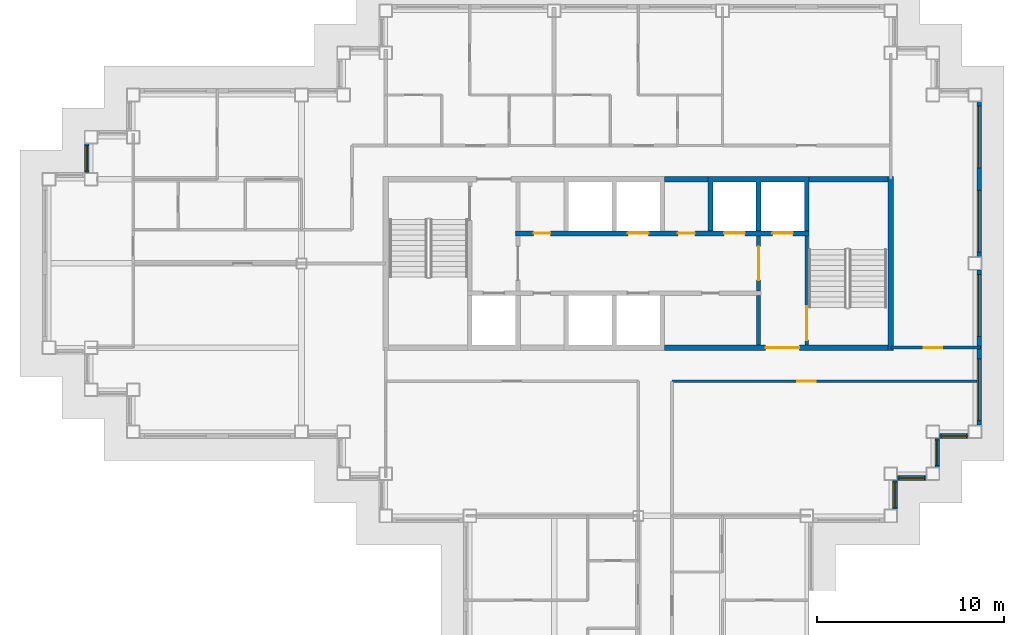
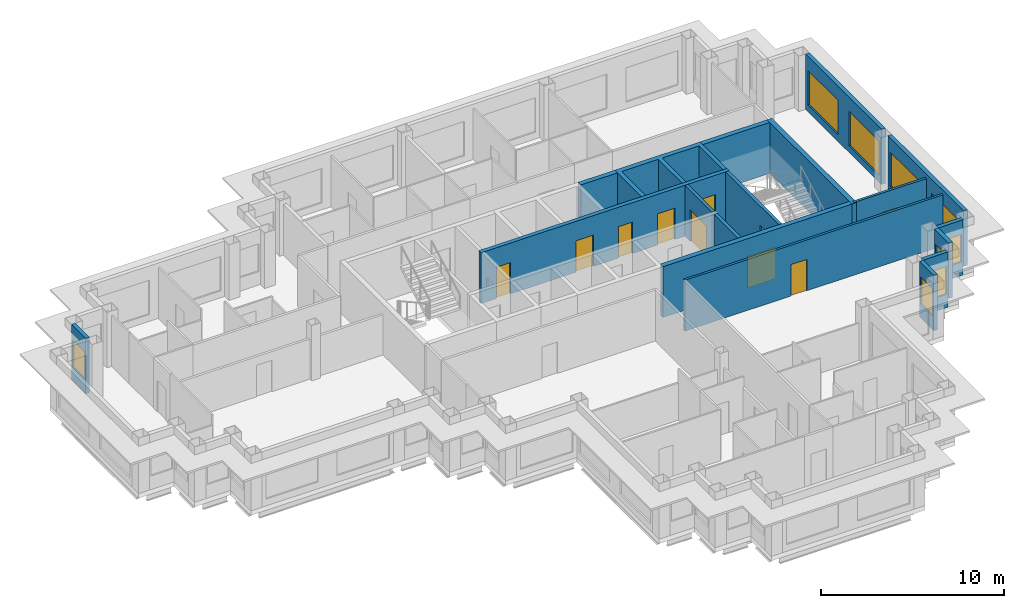
# One storey, part 5 of 11: 18 walls, 10 doors, 9 windows, 19 openings.
"""IFC4 building model written with IfcOpenShell, lengths in metres."""

from ifc_helpers import new_model, si_unit, direction, frame, frame_2d, origin, place, context, subcontext, project, spatial, polyline, rectangle, outline, extrude, material, layer, layer_set, type_object, element, fill, save


model = new_model("IFC4")

# Units and contexts
model_context = context("Model", 3, precision=1e-05, world=origin(), true_north=direction((0.0, 1.0)))
body_context = subcontext(model_context, "Body", "Model", "MODEL_VIEW")
ifc_project = project(units=[si_unit("LENGTHUNIT", "METRE"), si_unit("AREAUNIT", "SQUARE_METRE"), si_unit("VOLUMEUNIT", "CUBIC_METRE"), si_unit("PLANEANGLEUNIT", "RADIAN"), si_unit("MASSUNIT", "GRAM", prefix="KILO")], contexts=[model_context])

# Site, building, storey
site_placement = place(None, origin())
site = spatial("IfcSite", under=ifc_project, at=site_placement, CompositionType="ELEMENT")
building_placement = place(site_placement, origin())
building = spatial("IfcBuilding", under=site, at=building_placement, Name="Caravel Reach Hotel and Residences", CompositionType="ELEMENT")
storey_placement = place(building_placement, frame((0.0, 0.0, 210.89990234375)))
storey = spatial("IfcBuildingStorey", under=building, at=storey_placement, Name="L53", CompositionType="ELEMENT", Elevation=210.89990234375)

# Wall
ifc_material_1 = material(Name="Autoclaved aerated block wall")
ifc_layer_1 = layer(ifc_material_1, 0.199951171875)
ifc_layer_set_1 = layer_set([ifc_layer_1], Name="Compartment wall 200 mm EI 120")
wall_type_1 = type_object("IfcWallType", Name="Compartment wall 200 mm EI 120", PredefinedType="PARTITIONING", material=ifc_layer_set_1)
wall_1_placement = place(storey_placement, frame((37.928466796875, 22.64990234375, 0.0), z_axis=(0.0, 0.0, 1.0), x_axis=(0.0, 1.0, 0.0)))
element("IfcWall", 1, at=wall_1_placement, inside=storey, type_object=wall_type_1, Name="L53 store partition", PredefinedType="PARTITIONING", context=body_context, shape_type="SweptSolid", body=[
    extrude(rectangle(XDim=2.625, YDim=0.199951171875, at=frame_2d((1.3125, 0.0))), origin(), (0.0, 0.0, 1.0), 3.400146484375),
])

# Wall, opening, door
ifc_material_2 = material(Name="Concrete C60", Category="concrete")
ifc_layer_2 = layer(ifc_material_2, 0.300048828125)
ifc_layer_set_2 = layer_set([ifc_layer_2], Name="Core wall 300 mm EI 120")
wall_type_2 = type_object("IfcWallType", Name="Core wall 300 mm EI 120", PredefinedType="SHEAR", material=ifc_layer_set_2)
wall_2_placement = place(storey_placement, frame((32.91064453125, 22.5, 0.0), z_axis=(0.0, 0.0, 1.0), x_axis=(1.0, 0.0, 0.0)))
wall_2 = element("IfcWall", 2, at=wall_2_placement, inside=storey, type_object=wall_type_2, Name="L53 core wall S3", PredefinedType="SHEAR", context=body_context, shape_type="SweptSolid", body=[
    extrude(rectangle(XDim=11.939453125, YDim=0.300048828125, at=frame_2d((5.9697265625, 0.0))), origin(), (0.0, 0.0, 1.0), 3.400146484375),
])
opening_1_placement = place(wall_2_placement, frame((5.403564453125, 0.0, 0.0)))
opening_1 = element("IfcOpeningElement", 3, at=opening_1_placement, cuts=wall_2, Name="Opening D53-015", PredefinedType="OPENING", context=body_context, shape_type="SweptSolid", body=[
    extrude(rectangle(XDim=1.800048828125, YDim=2.10009765625, at=frame_2d((0.89990234375, 1.050048828125))), frame((0.0, 0.159912109375, 0.0), z_axis=(0.0, -1.0, 0.0), x_axis=(1.0, 0.0, 0.0)), (0.0, 0.0, 1.0), 0.320068359375),
])
ifc_material_3 = material(Name="Steel fire door leaf", Category="steel")
door_type_1 = type_object("IfcDoorType", Name="Fire lobby door pair 1800 x 2100 EI 90", OperationType="DOUBLE_DOOR_SINGLE_SWING", PredefinedType="DOOR", material=ifc_material_3)
door_1_placement = place(opening_1_placement, origin())
door_1 = element("IfcDoor", 4, at=door_1_placement, inside=storey, type_object=door_type_1, Name="lobby S door pair to corridor", OperationType="DOUBLE_DOOR_SINGLE_SWING", OverallHeight=2.10009765625, OverallWidth=1.800048828125, PredefinedType="DOOR", context=body_context, shape_type="SweptSolid", body=[
    extrude(rectangle(XDim=1.800048828125, YDim=2.10009765625, at=frame_2d((0.89990234375, 1.050048828125))), frame((0.0, 0.02490234375, 0.0), z_axis=(0.0, -1.0, 0.0), x_axis=(1.0, 0.0, 0.0)), (0.0, 0.0, 1.0), 0.050048828125),
])
fill(opening_1, door_1)

# Walls
wall_3_placement = place(storey_placement, frame((32.91064453125, 31.5, 0.0), z_axis=(0.0, 0.0, 1.0), x_axis=(1.0, 0.0, 0.0)))
element("IfcWall", 5, at=wall_3_placement, inside=storey, type_object=wall_type_2, Name="L53 core wall N2", PredefinedType="SHEAR", context=body_context, shape_type="SweptSolid", body=[
    extrude(rectangle(XDim=2.321533203125, YDim=0.300048828125, at=frame_2d((1.16064453125, 0.0))), origin(), (0.0, 0.0, 1.0), 3.400146484375),
])
wall_4_placement = place(storey_placement, frame((40.625, 31.5, 0.0), z_axis=(0.0, 0.0, 1.0), x_axis=(1.0, 0.0, 0.0)))
element("IfcWall", 6, at=wall_4_placement, inside=storey, type_object=wall_type_2, Name="L53 core wall N3", PredefinedType="SHEAR", context=body_context, shape_type="SweptSolid", body=[
    extrude(rectangle(XDim=4.22509765625, YDim=0.300048828125, at=frame_2d((2.112548828125, 0.0))), origin(), (0.0, 0.0, 1.0), 3.400146484375),
])
wall_5_placement = place(storey_placement, frame((45.0, 22.35009765625, 0.0), z_axis=(0.0, 0.0, 1.0), x_axis=(0.0, 1.0, 0.0)))
element("IfcWall", 7, at=wall_5_placement, inside=storey, type_object=wall_type_2, Name="L53 core wall E", PredefinedType="SHEAR", context=body_context, shape_type="SweptSolid", body=[
    extrude(rectangle(XDim=9.2998046875, YDim=0.300048828125, at=frame_2d((4.64990234375, 0.0))), origin(), (0.0, 0.0, 1.0), 3.400146484375),
])

# Wall, opening, door
ifc_material_4 = material(Name="Gypsum board on steel stud, fire-rated", Category="steel")
ifc_layer_3 = layer(ifc_material_4, 0.14990234375)
ifc_layer_set_3 = layer_set([ifc_layer_3], Name="Corridor wall 150 mm EI 60")
wall_type_3 = type_object("IfcWallType", Name="Corridor wall 150 mm EI 60", PredefinedType="PARTITIONING", material=ifc_layer_set_3)
wall_6_placement = place(storey_placement, frame((33.301025390625, 20.699951171875, 0.0), z_axis=(0.0, 0.0, 1.0), x_axis=(1.0, 0.0, 0.0)))
wall_6 = element("IfcWall", 8, at=wall_6_placement, inside=storey, type_object=wall_type_3, Name="L53 wall w001", PredefinedType="PARTITIONING", context=body_context, shape_type="SweptSolid", body=[
    extrude(rectangle(XDim=16.299072265625, YDim=0.14990234375, at=frame_2d((8.1494140625, 0.0))), origin(), (0.0, 0.0, 1.0), 3.400146484375),
])
opening_2_placement = place(wall_6_placement, frame((6.697998046875, 0.0, 0.0)))
opening_2 = element("IfcOpeningElement", 9, at=opening_2_placement, cuts=wall_6, Name="Opening D53-031", PredefinedType="OPENING", context=body_context, shape_type="SweptSolid", body=[
    extrude(rectangle(XDim=1.0, YDim=2.10009765625, at=frame_2d((0.5, 1.050048828125))), frame((0.0, 0.0849609375, 0.0), z_axis=(0.0, -1.0, 0.0), x_axis=(1.0, 0.0, 0.0)), (0.0, 0.0, 1.0), 0.169921875),
])
ifc_material_5 = material(Name="Steel fire door leaf", Category="steel")
door_type_2 = type_object("IfcDoorType", Name="Fire door 1000 x 2100 EI 60", OperationType="SINGLE_SWING_LEFT", PredefinedType="DOOR", material=ifc_material_5)
door_2_placement = place(opening_2_placement, origin())
door_2 = element("IfcDoor", 10, at=door_2_placement, inside=storey, type_object=door_type_2, Name="door D53-031", OperationType="SINGLE_SWING_RIGHT", OverallHeight=2.10009765625, OverallWidth=1.0, PredefinedType="DOOR", context=body_context, shape_type="SweptSolid", body=[
    extrude(rectangle(XDim=1.0, YDim=2.10009765625, at=frame_2d((0.5, 1.050048828125))), frame((0.0, 0.02490234375, 0.0), z_axis=(0.0, -1.0, 0.0), x_axis=(1.0, 0.0, 0.0)), (0.0, 0.0, 1.0), 0.050048828125),
])
fill(opening_2, door_2)

wall_7_placement = place(storey_placement, frame((45.0, 22.5, 0.0), z_axis=(0.0, 0.0, 1.0), x_axis=(1.0, 0.0, 0.0)))
wall_7 = element("IfcWall", 11, at=wall_7_placement, inside=storey, type_object=wall_type_3, Name="L53 wall w005", PredefinedType="PARTITIONING", context=body_context, shape_type="SweptSolid", body=[
    extrude(rectangle(XDim=4.7900390625, YDim=0.14990234375, at=frame_2d((2.39501953125, 0.0))), origin(), (0.0, 0.0, 1.0), 3.400146484375),
])
opening_3_placement = place(wall_7_placement, frame((1.75, 0.0, 0.0)))
opening_3 = element("IfcOpeningElement", 12, at=opening_3_placement, cuts=wall_7, Name="Opening D53-041", PredefinedType="OPENING", context=body_context, shape_type="SweptSolid", body=[
    extrude(rectangle(XDim=1.0, YDim=2.10009765625, at=frame_2d((0.5, 1.050048828125))), frame((0.0, 0.0849609375, 0.0), z_axis=(0.0, -1.0, 0.0), x_axis=(1.0, 0.0, 0.0)), (0.0, 0.0, 1.0), 0.169921875),
])
door_3_placement = place(opening_3_placement, origin())
door_3 = element("IfcDoor", 13, at=door_3_placement, inside=storey, type_object=door_type_2, Name="door D53-041", OperationType="SINGLE_SWING_RIGHT", OverallHeight=2.10009765625, OverallWidth=1.0, PredefinedType="DOOR", context=body_context, shape_type="SweptSolid", body=[
    extrude(rectangle(XDim=1.0, YDim=2.10009765625, at=frame_2d((0.5, 1.050048828125))), frame((0.0, 0.02490234375, 0.0), z_axis=(0.0, -1.0, 0.0), x_axis=(1.0, 0.0, 0.0)), (0.0, 0.0, 1.0), 0.050048828125),
])
fill(opening_3, door_3)

# Wall, opening, window
ifc_material_6 = material(Name="Insulated rainscreen wall, aluminium cladding", Category="aluminium")
ifc_layer_4 = layer(ifc_material_6, 0.25)
ifc_layer_set_4 = layer_set([ifc_layer_4], Name="EW1 Tower rainscreen wall")
wall_type_4 = type_object("IfcWallType", Name="EW1 Tower rainscreen wall", PredefinedType="SOLIDWALL", material=ifc_layer_set_4)
wall_8_placement = place(storey_placement, frame((45.22509765625, 13.85009765625, 0.0), z_axis=(0.0, 0.0, 1.0), x_axis=(0.0, 1.0, 0.0)))
wall_8 = element("IfcWall", 14, at=wall_8_placement, inside=storey, type_object=wall_type_4, Name="External wall L53 E2.1", PredefinedType="SOLIDWALL", context=body_context, shape_type="SweptSolid", body=[
    extrude(rectangle(XDim=1.5498046875, YDim=0.25, at=frame_2d((0.77490234375, 0.0))), origin(), (0.0, 0.0, 1.0), 3.7001953125),
])
opening_4_placement = place(wall_8_placement, frame((0.10009765625, 0.0, 0.89990234375)))
opening_4 = element("IfcOpeningElement", 15, at=opening_4_placement, cuts=wall_8, Name="Opening WN21", PredefinedType="OPENING", context=body_context, shape_type="SweptSolid", body=[
    extrude(rectangle(XDim=1.35009765625, YDim=1.85009765625, at=frame_2d((0.675048828125, 0.925048828125))), frame((0.0, 0.135009765625, 0.0), z_axis=(0.0, -1.0, 0.0), x_axis=(1.0, 0.0, 0.0)), (0.0, 0.0, 1.0), 0.27001953125),
])
ifc_material_7 = material(Name="Dark low-e glazing in black aluminium frame", Category="aluminium")
window_type_1 = type_object("IfcWindowType", Name="Residence bedroom window 1350 x 1850", PartitioningType="SINGLE_PANEL", PredefinedType="WINDOW", material=ifc_material_7)
window_1_placement = place(opening_4_placement, origin())
window_1 = element("IfcWindow", 16, at=window_1_placement, inside=storey, type_object=window_type_1, Name="Window L53 E2.1.1", OverallHeight=1.85009765625, OverallWidth=1.35009765625, PartitioningType="SINGLE_PANEL", PredefinedType="WINDOW", context=body_context, shape_type="SweptSolid", body=[
    extrude(rectangle(XDim=1.35009765625, YDim=1.85009765625, at=frame_2d((0.675048828125, 0.925048828125))), frame((0.0, 0.030029296875, 0.0), z_axis=(0.0, -1.0, 0.0), x_axis=(1.0, 0.0, 0.0)), (0.0, 0.0, 1.0), 0.06005859375),
])
fill(opening_4, window_1)

wall_9_placement = place(storey_placement, frame((45.35009765625, 15.52490234375, 0.0), z_axis=(0.0, 0.0, 1.0), x_axis=(1.0, 0.0, 0.0)))
wall_9 = element("IfcWall", 17, at=wall_9_placement, inside=storey, type_object=wall_type_4, Name="External wall L53 S3.1", PredefinedType="SOLIDWALL", context=body_context, shape_type="SweptSolid", body=[
    extrude(rectangle(XDim=1.5498046875, YDim=0.25, at=frame_2d((0.77490234375, 0.0))), origin(), (0.0, 0.0, 1.0), 3.7001953125),
])
opening_5_placement = place(wall_9_placement, frame((0.10009765625, 0.0, 0.89990234375)))
opening_5 = element("IfcOpeningElement", 18, at=opening_5_placement, cuts=wall_9, Name="Opening WN21", PredefinedType="OPENING", context=body_context, shape_type="SweptSolid", body=[
    extrude(rectangle(XDim=1.35009765625, YDim=1.85009765625, at=frame_2d((0.675048828125, 0.925048828125))), frame((0.0, 0.135009765625, 0.0), z_axis=(0.0, -1.0, 0.0), x_axis=(1.0, 0.0, 0.0)), (0.0, 0.0, 1.0), 0.27001953125),
])
window_2_placement = place(opening_5_placement, origin())
window_2 = element("IfcWindow", 19, at=window_2_placement, inside=storey, type_object=window_type_1, Name="Window L53 S3.1.1", OverallHeight=1.85009765625, OverallWidth=1.35009765625, PartitioningType="SINGLE_PANEL", PredefinedType="WINDOW", context=body_context, shape_type="SweptSolid", body=[
    extrude(rectangle(XDim=1.35009765625, YDim=1.85009765625, at=frame_2d((0.675048828125, 0.925048828125))), frame((0.0, 0.030029296875, 0.0), z_axis=(0.0, -1.0, 0.0), x_axis=(1.0, 0.0, 0.0)), (0.0, 0.0, 1.0), 0.06005859375),
])
fill(opening_5, window_2)

wall_10_placement = place(storey_placement, frame((47.47509765625, 16.10009765625, 0.0), z_axis=(0.0, 0.0, 1.0), x_axis=(0.0, 1.0, 0.0)))
wall_10 = element("IfcWall", 20, at=wall_10_placement, inside=storey, type_object=wall_type_4, Name="External wall L53 E4.1", PredefinedType="SOLIDWALL", context=body_context, shape_type="SweptSolid", body=[
    extrude(rectangle(XDim=1.5498046875, YDim=0.25, at=frame_2d((0.77490234375, 0.0))), origin(), (0.0, 0.0, 1.0), 3.7001953125),
])
opening_6_placement = place(wall_10_placement, frame((0.10009765625, 0.0, 0.89990234375)))
opening_6 = element("IfcOpeningElement", 21, at=opening_6_placement, cuts=wall_10, Name="Opening WN21", PredefinedType="OPENING", context=body_context, shape_type="SweptSolid", body=[
    extrude(rectangle(XDim=1.35009765625, YDim=1.85009765625, at=frame_2d((0.675048828125, 0.925048828125))), frame((0.0, 0.135009765625, 0.0), z_axis=(0.0, -1.0, 0.0), x_axis=(1.0, 0.0, 0.0)), (0.0, 0.0, 1.0), 0.27001953125),
])
window_3_placement = place(opening_6_placement, origin())
window_3 = element("IfcWindow", 22, at=window_3_placement, inside=storey, type_object=window_type_1, Name="Window L53 E4.1.1", OverallHeight=1.85009765625, OverallWidth=1.35009765625, PartitioningType="SINGLE_PANEL", PredefinedType="WINDOW", context=body_context, shape_type="SweptSolid", body=[
    extrude(rectangle(XDim=1.35009765625, YDim=1.85009765625, at=frame_2d((0.675048828125, 0.925048828125))), frame((0.0, 0.030029296875, 0.0), z_axis=(0.0, -1.0, 0.0), x_axis=(1.0, 0.0, 0.0)), (0.0, 0.0, 1.0), 0.06005859375),
])
fill(opening_6, window_3)

wall_11_placement = place(storey_placement, frame((47.60009765625, 17.77490234375, 0.0), z_axis=(0.0, 0.0, 1.0), x_axis=(1.0, 0.0, 0.0)))
wall_11 = element("IfcWall", 23, at=wall_11_placement, inside=storey, type_object=wall_type_4, Name="External wall L53 S5.1", PredefinedType="SOLIDWALL", context=body_context, shape_type="SweptSolid", body=[
    extrude(rectangle(XDim=1.5498046875, YDim=0.25, at=frame_2d((0.77490234375, 0.0))), origin(), (0.0, 0.0, 1.0), 3.7001953125),
])
opening_7_placement = place(wall_11_placement, frame((0.10009765625, 0.0, 0.89990234375)))
opening_7 = element("IfcOpeningElement", 24, at=opening_7_placement, cuts=wall_11, Name="Opening WN21", PredefinedType="OPENING", context=body_context, shape_type="SweptSolid", body=[
    extrude(rectangle(XDim=1.35009765625, YDim=1.85009765625, at=frame_2d((0.675048828125, 0.925048828125))), frame((0.0, 0.135009765625, 0.0), z_axis=(0.0, -1.0, 0.0), x_axis=(1.0, 0.0, 0.0)), (0.0, 0.0, 1.0), 0.27001953125),
])
window_4_placement = place(opening_7_placement, origin())
window_4 = element("IfcWindow", 25, at=window_4_placement, inside=storey, type_object=window_type_1, Name="Window L53 S5.1.1", OverallHeight=1.85009765625, OverallWidth=1.35009765625, PartitioningType="SINGLE_PANEL", PredefinedType="WINDOW", context=body_context, shape_type="SweptSolid", body=[
    extrude(rectangle(XDim=1.35009765625, YDim=1.85009765625, at=frame_2d((0.675048828125, 0.925048828125))), frame((0.0, 0.030029296875, 0.0), z_axis=(0.0, -1.0, 0.0), x_axis=(1.0, 0.0, 0.0)), (0.0, 0.0, 1.0), 0.06005859375),
])
fill(opening_7, window_4)

# Wall, openings, windows
wall_12_placement = place(storey_placement, frame((49.72509765625, 18.35009765625, 0.0), z_axis=(0.0, 0.0, 1.0), x_axis=(0.0, 1.0, 0.0)))
wall_12 = element("IfcWall", 26, at=wall_12_placement, inside=storey, type_object=wall_type_4, Name="External wall L53 E6.1", PredefinedType="SOLIDWALL", context=body_context, shape_type="SweptSolid", body=[
    extrude(rectangle(XDim=8.2998046875, YDim=0.25, at=frame_2d((4.14990234375, 0.0))), origin(), (0.0, 0.0, 1.0), 3.7001953125),
])
opening_8_placement = place(wall_12_placement, frame((0.25, 0.0, 0.449951171875)))
opening_8 = element("IfcOpeningElement", 27, at=opening_8_placement, cuts=wall_12, Name="Opening WN15", PredefinedType="OPENING", context=body_context, shape_type="SweptSolid", body=[
    extrude(rectangle(XDim=3.300048828125, YDim=2.300048828125, at=frame_2d((1.64990234375, 1.14990234375))), frame((0.0, 0.135009765625, 0.0), z_axis=(0.0, -1.0, 0.0), x_axis=(1.0, 0.0, 0.0)), (0.0, 0.0, 1.0), 0.27001953125),
])
opening_9_placement = place(wall_12_placement, frame((4.75, 0.0, 0.449951171875)))
opening_9 = element("IfcOpeningElement", 28, at=opening_9_placement, cuts=wall_12, Name="Opening WN15", PredefinedType="OPENING", context=body_context, shape_type="SweptSolid", body=[
    extrude(rectangle(XDim=3.300048828125, YDim=2.300048828125, at=frame_2d((1.64990234375, 1.14990234375))), frame((0.0, 0.135009765625, 0.0), z_axis=(0.0, -1.0, 0.0), x_axis=(1.0, 0.0, 0.0)), (0.0, 0.0, 1.0), 0.27001953125),
])
ifc_material_8 = material(Name="Dark low-e glazing in black aluminium frame", Category="aluminium")
window_type_2 = type_object("IfcWindowType", Name="Residence living window 3300 x 2300", PartitioningType="SINGLE_PANEL", PredefinedType="WINDOW", material=ifc_material_8)
window_5_placement = place(opening_8_placement, origin())
window_5 = element("IfcWindow", 29, at=window_5_placement, inside=storey, type_object=window_type_2, Name="Window L53 E6.1.1", OverallHeight=2.300048828125, OverallWidth=3.300048828125, PartitioningType="SINGLE_PANEL", PredefinedType="WINDOW", context=body_context, shape_type="SweptSolid", body=[
    extrude(rectangle(XDim=3.300048828125, YDim=2.300048828125, at=frame_2d((1.64990234375, 1.14990234375))), frame((0.0, 0.030029296875, 0.0), z_axis=(0.0, -1.0, 0.0), x_axis=(1.0, 0.0, 0.0)), (0.0, 0.0, 1.0), 0.06005859375),
])
fill(opening_8, window_5)
window_6_placement = place(opening_9_placement, origin())
window_6 = element("IfcWindow", 30, at=window_6_placement, inside=storey, type_object=window_type_2, Name="Window L53 E6.1.2", OverallHeight=2.300048828125, OverallWidth=3.300048828125, PartitioningType="SINGLE_PANEL", PredefinedType="WINDOW", context=body_context, shape_type="SweptSolid", body=[
    extrude(rectangle(XDim=3.300048828125, YDim=2.300048828125, at=frame_2d((1.64990234375, 1.14990234375))), frame((0.0, 0.030029296875, 0.0), z_axis=(0.0, -1.0, 0.0), x_axis=(1.0, 0.0, 0.0)), (0.0, 0.0, 1.0), 0.06005859375),
])
fill(opening_9, window_6)

wall_13_placement = place(storey_placement, frame((49.72509765625, 27.35009765625, 0.0), z_axis=(0.0, 0.0, 1.0), x_axis=(0.0, 1.0, 0.0)))
wall_13 = element("IfcWall", 31, at=wall_13_placement, inside=storey, type_object=wall_type_4, Name="External wall L53 E6.2", PredefinedType="SOLIDWALL", context=body_context, shape_type="SweptSolid", body=[
    extrude(rectangle(XDim=8.2998046875, YDim=0.25, at=frame_2d((4.14990234375, 0.0))), origin(), (0.0, 0.0, 1.0), 3.7001953125),
])
opening_10_placement = place(wall_13_placement, frame((0.25, 0.0, 0.449951171875)))
opening_10 = element("IfcOpeningElement", 32, at=opening_10_placement, cuts=wall_13, Name="Opening WN15", PredefinedType="OPENING", context=body_context, shape_type="SweptSolid", body=[
    extrude(rectangle(XDim=3.300048828125, YDim=2.300048828125, at=frame_2d((1.64990234375, 1.14990234375))), frame((0.0, 0.135009765625, 0.0), z_axis=(0.0, -1.0, 0.0), x_axis=(1.0, 0.0, 0.0)), (0.0, 0.0, 1.0), 0.27001953125),
])
opening_11_placement = place(wall_13_placement, frame((4.75, 0.0, 0.449951171875)))
opening_11 = element("IfcOpeningElement", 33, at=opening_11_placement, cuts=wall_13, Name="Opening WN15", PredefinedType="OPENING", context=body_context, shape_type="SweptSolid", body=[
    extrude(rectangle(XDim=3.300048828125, YDim=2.300048828125, at=frame_2d((1.64990234375, 1.14990234375))), frame((0.0, 0.135009765625, 0.0), z_axis=(0.0, -1.0, 0.0), x_axis=(1.0, 0.0, 0.0)), (0.0, 0.0, 1.0), 0.27001953125),
])
window_7_placement = place(opening_10_placement, origin())
window_7 = element("IfcWindow", 34, at=window_7_placement, inside=storey, type_object=window_type_2, Name="Window L53 E6.2.1", OverallHeight=2.300048828125, OverallWidth=3.300048828125, PartitioningType="SINGLE_PANEL", PredefinedType="WINDOW", context=body_context, shape_type="SweptSolid", body=[
    extrude(rectangle(XDim=3.300048828125, YDim=2.300048828125, at=frame_2d((1.64990234375, 1.14990234375))), frame((0.0, 0.030029296875, 0.0), z_axis=(0.0, -1.0, 0.0), x_axis=(1.0, 0.0, 0.0)), (0.0, 0.0, 1.0), 0.06005859375),
])
fill(opening_10, window_7)
window_8_placement = place(opening_11_placement, origin())
window_8 = element("IfcWindow", 35, at=window_8_placement, inside=storey, type_object=window_type_2, Name="Window L53 E6.2.2", OverallHeight=2.300048828125, OverallWidth=3.300048828125, PartitioningType="SINGLE_PANEL", PredefinedType="WINDOW", context=body_context, shape_type="SweptSolid", body=[
    extrude(rectangle(XDim=3.300048828125, YDim=2.300048828125, at=frame_2d((1.64990234375, 1.14990234375))), frame((0.0, 0.030029296875, 0.0), z_axis=(0.0, -1.0, 0.0), x_axis=(1.0, 0.0, 0.0)), (0.0, 0.0, 1.0), 0.06005859375),
])
fill(opening_11, window_8)

# Wall, opening, window
wall_14_placement = place(storey_placement, frame((2.02490234375, 33.39990234375, 0.0), z_axis=(0.0, 0.0, 1.0), x_axis=(0.0, -1.0, 0.0)))
wall_14 = element("IfcWall", 36, at=wall_14_placement, inside=storey, type_object=wall_type_4, Name="External wall L53 W18.1", PredefinedType="SOLIDWALL", context=body_context, shape_type="SweptSolid", body=[
    extrude(rectangle(XDim=1.5498046875, YDim=0.25, at=frame_2d((0.77490234375, 0.0))), origin(), (0.0, 0.0, 1.0), 3.7001953125),
])
opening_12_placement = place(wall_14_placement, frame((0.10009765625, 0.0, 0.89990234375)))
opening_12 = element("IfcOpeningElement", 37, at=opening_12_placement, cuts=wall_14, Name="Opening WN21", PredefinedType="OPENING", context=body_context, shape_type="SweptSolid", body=[
    extrude(rectangle(XDim=1.35009765625, YDim=1.85009765625, at=frame_2d((0.675048828125, 0.925048828125))), frame((0.0, 0.135009765625, 0.0), z_axis=(0.0, -1.0, 0.0), x_axis=(1.0, 0.0, 0.0)), (0.0, 0.0, 1.0), 0.27001953125),
])
window_9_placement = place(opening_12_placement, origin())
window_9 = element("IfcWindow", 38, at=window_9_placement, inside=storey, type_object=window_type_1, Name="Window L53 W18.1.1", OverallHeight=1.85009765625, OverallWidth=1.35009765625, PartitioningType="SINGLE_PANEL", PredefinedType="WINDOW", context=body_context, shape_type="SweptSolid", body=[
    extrude(rectangle(XDim=1.35009765625, YDim=1.85009765625, at=frame_2d((0.675048828125, 0.925048828125))), frame((0.0, 0.030029296875, 0.0), z_axis=(0.0, -1.0, 0.0), x_axis=(1.0, 0.0, 0.0)), (0.0, 0.0, 1.0), 0.06005859375),
])
fill(opening_12, window_9)

# Wall, opening, door
ifc_material_9 = material(Name="Autoclaved aerated block wall")
ifc_layer_5 = layer(ifc_material_9, 0.199951171875)
ifc_layer_set_5 = layer_set([ifc_layer_5], Name="Fire lobby wall 200 mm EI 120")
wall_type_5 = type_object("IfcWallType", Name="Fire lobby wall 200 mm EI 120", PredefinedType="PARTITIONING", material=ifc_layer_set_5)
wall_15_placement = place(storey_placement, frame((37.928466796875, 25.52490234375, 0.0), z_axis=(0.0, 0.0, 1.0), x_axis=(0.0, 1.0, 0.0)))
wall_15 = element("IfcWall", 39, at=wall_15_placement, inside=storey, type_object=wall_type_5, Name="L53 lobby E wall", PredefinedType="PARTITIONING", context=body_context, shape_type="SweptSolid", body=[
    extrude(rectangle(XDim=2.9501953125, YDim=0.199951171875, at=frame_2d((1.47509765625, 0.0))), origin(), (0.0, 0.0, 1.0), 3.400146484375),
])
opening_13_placement = place(wall_15_placement, frame((0.574951171875, 0.0, 0.0)))
opening_13 = element("IfcOpeningElement", 40, at=opening_13_placement, cuts=wall_15, Name="Opening D53-013", PredefinedType="OPENING", context=body_context, shape_type="SweptSolid", body=[
    extrude(rectangle(XDim=1.800048828125, YDim=2.10009765625, at=frame_2d((0.89990234375, 1.050048828125))), frame((0.0, 0.10986328125, 0.0), z_axis=(0.0, -1.0, 0.0), x_axis=(1.0, 0.0, 0.0)), (0.0, 0.0, 1.0), 0.219970703125),
])
door_4_placement = place(opening_13_placement, origin())
door_4 = element("IfcDoor", 41, at=door_4_placement, inside=storey, type_object=door_type_1, Name="lobby E door pair", OperationType="DOUBLE_DOOR_SINGLE_SWING", OverallHeight=2.10009765625, OverallWidth=1.800048828125, PredefinedType="DOOR", context=body_context, shape_type="SweptSolid", body=[
    extrude(rectangle(XDim=1.800048828125, YDim=2.10009765625, at=frame_2d((0.89990234375, 1.050048828125))), frame((0.0, 0.02490234375, 0.0), z_axis=(0.0, -1.0, 0.0), x_axis=(1.0, 0.0, 0.0)), (0.0, 0.0, 1.0), 0.050048828125),
])
fill(opening_13, door_4)

# Wall
ifc_material_10 = material(Name="Concrete C60", Category="concrete")
ifc_layer_6 = layer(ifc_material_10, 0.25)
ifc_layer_set_6 = layer_set([ifc_layer_6], Name="Shaft wall 250 mm EI 120")
wall_type_6 = type_object("IfcWallType", Name="Shaft wall 250 mm EI 120", PredefinedType="SHEAR", material=ifc_layer_set_6)
wall_16_placement = place(storey_placement, origin())
element("IfcWall", 42, at=wall_16_placement, inside=storey, type_object=wall_type_6, Name="L53 lift shaft wall N2", PredefinedType="SHEAR", context=body_context, shape_type="SweptSolid", body=[
    extrude(outline(polyline([(35.232177734375, 28.72509765625), (35.482177734375, 28.72509765625), (35.482177734375, 31.35009765625), (37.803466796875, 31.35009765625), (37.803466796875, 28.72509765625), (38.053466796875, 28.72509765625), (38.053466796875, 31.35009765625), (40.375, 31.35009765625), (40.375, 28.72509765625), (40.625, 28.72509765625), (40.625, 31.64990234375), (35.232177734375, 31.64990234375), (35.232177734375, 28.72509765625)])), origin(), (0.0, 0.0, 1.0), 3.400146484375),
])

# Wall, openings, doors
wall_17_placement = place(storey_placement, frame((24.946533203125, 28.60009765625, 0.0), z_axis=(0.0, 0.0, 1.0), x_axis=(1.0, 0.0, 0.0)))
wall_17 = element("IfcWall", 43, at=wall_17_placement, inside=storey, type_object=wall_type_6, Name="L53 lobby wall N1", PredefinedType="SHEAR", context=body_context, shape_type="SweptSolid", body=[
    extrude(rectangle(XDim=15.678466796875, YDim=0.25, at=frame_2d((7.83935546875, 0.0))), origin(), (0.0, 0.0, 1.0), 3.400146484375),
])
opening_14_placement = place(wall_17_placement, frame((6.003662109375, 0.0, 0.0)))
opening_14 = element("IfcOpeningElement", 44, at=opening_14_placement, cuts=wall_17, Name="Opening D53-002", PredefinedType="OPENING", context=body_context, shape_type="SweptSolid", body=[
    extrude(rectangle(XDim=1.10009765625, YDim=2.10009765625, at=frame_2d((0.550048828125, 1.050048828125))), frame((0.0, 0.135009765625, 0.0), z_axis=(0.0, -1.0, 0.0), x_axis=(1.0, 0.0, 0.0)), (0.0, 0.0, 1.0), 0.27001953125),
])
opening_15_placement = place(wall_17_placement, frame((11.146484375, 0.0, 0.0)))
opening_15 = element("IfcOpeningElement", 45, at=opening_15_placement, cuts=wall_17, Name="Opening D53-003", PredefinedType="OPENING", context=body_context, shape_type="SweptSolid", body=[
    extrude(rectangle(XDim=1.10009765625, YDim=2.10009765625, at=frame_2d((0.550048828125, 1.050048828125))), frame((0.0, 0.135009765625, 0.0), z_axis=(0.0, -1.0, 0.0), x_axis=(1.0, 0.0, 0.0)), (0.0, 0.0, 1.0), 0.27001953125),
])
opening_16_placement = place(wall_17_placement, frame((13.718017578125, 0.0, 0.0)))
opening_16 = element("IfcOpeningElement", 46, at=opening_16_placement, cuts=wall_17, Name="Opening D53-005", PredefinedType="OPENING", context=body_context, shape_type="SweptSolid", body=[
    extrude(rectangle(XDim=1.10009765625, YDim=2.10009765625, at=frame_2d((0.550048828125, 1.050048828125))), frame((0.0, 0.135009765625, 0.0), z_axis=(0.0, -1.0, 0.0), x_axis=(1.0, 0.0, 0.0)), (0.0, 0.0, 1.0), 0.27001953125),
])
opening_17_placement = place(wall_17_placement, frame((0.960693359375, 0.0, 0.0)))
opening_17 = element("IfcOpeningElement", 47, at=opening_17_placement, cuts=wall_17, Name="Opening D53-008", PredefinedType="OPENING", context=body_context, shape_type="SweptSolid", body=[
    extrude(rectangle(XDim=0.89990234375, YDim=2.10009765625, at=frame_2d((0.449951171875, 1.050048828125))), frame((0.0, 0.135009765625, 0.0), z_axis=(0.0, -1.0, 0.0), x_axis=(1.0, 0.0, 0.0)), (0.0, 0.0, 1.0), 0.27001953125),
])
opening_18_placement = place(wall_17_placement, frame((8.675048828125, 0.0, 0.0)))
opening_18 = element("IfcOpeningElement", 48, at=opening_18_placement, cuts=wall_17, Name="Opening D53-009", PredefinedType="OPENING", context=body_context, shape_type="SweptSolid", body=[
    extrude(rectangle(XDim=0.89990234375, YDim=2.10009765625, at=frame_2d((0.449951171875, 1.050048828125))), frame((0.0, 0.135009765625, 0.0), z_axis=(0.0, -1.0, 0.0), x_axis=(1.0, 0.0, 0.0)), (0.0, 0.0, 1.0), 0.27001953125),
])
ifc_material_11 = material(Name="Stainless steel landing door", Category="steel")
door_type_3 = type_object("IfcDoorType", Name="Landing door LD 1100 x 2100 sliding", OperationType="DOUBLE_DOOR_SLIDING", PredefinedType="DOOR", material=ifc_material_11)
door_5_placement = place(opening_14_placement, origin())
door_5 = element("IfcDoor", 49, at=door_5_placement, inside=storey, type_object=door_type_3, Name="MP2 landing door", OperationType="DOUBLE_DOOR_SLIDING", OverallHeight=2.10009765625, OverallWidth=1.10009765625, PredefinedType="DOOR", context=body_context, shape_type="SweptSolid", body=[
    extrude(rectangle(XDim=1.10009765625, YDim=2.10009765625, at=frame_2d((0.550048828125, 1.050048828125))), frame((0.0, 0.02490234375, 0.0), z_axis=(0.0, -1.0, 0.0), x_axis=(1.0, 0.0, 0.0)), (0.0, 0.0, 1.0), 0.050048828125),
])
fill(opening_14, door_5)
door_6_placement = place(opening_15_placement, origin())
door_6 = element("IfcDoor", 50, at=door_6_placement, inside=storey, type_object=door_type_3, Name="MP3 landing door", OperationType="DOUBLE_DOOR_SLIDING", OverallHeight=2.10009765625, OverallWidth=1.10009765625, PredefinedType="DOOR", context=body_context, shape_type="SweptSolid", body=[
    extrude(rectangle(XDim=1.10009765625, YDim=2.10009765625, at=frame_2d((0.550048828125, 1.050048828125))), frame((0.0, 0.02490234375, 0.0), z_axis=(0.0, -1.0, 0.0), x_axis=(1.0, 0.0, 0.0)), (0.0, 0.0, 1.0), 0.050048828125),
])
fill(opening_15, door_6)
door_7_placement = place(opening_16_placement, origin())
door_7 = element("IfcDoor", 51, at=door_7_placement, inside=storey, type_object=door_type_3, Name="FL2 landing door", OperationType="DOUBLE_DOOR_SLIDING", OverallHeight=2.10009765625, OverallWidth=1.10009765625, PredefinedType="DOOR", context=body_context, shape_type="SweptSolid", body=[
    extrude(rectangle(XDim=1.10009765625, YDim=2.10009765625, at=frame_2d((0.550048828125, 1.050048828125))), frame((0.0, 0.02490234375, 0.0), z_axis=(0.0, -1.0, 0.0), x_axis=(1.0, 0.0, 0.0)), (0.0, 0.0, 1.0), 0.050048828125),
])
fill(opening_16, door_7)
ifc_material_12 = material(Name="Steel fire door leaf", Category="steel")
door_type_4 = type_object("IfcDoorType", Name="Riser door 900 x 2100 EI 60", OperationType="SINGLE_SWING_LEFT", PredefinedType="DOOR", material=ifc_material_12)
door_8_placement = place(opening_17_placement, origin())
door_8 = element("IfcDoor", 52, at=door_8_placement, inside=storey, type_object=door_type_4, Name="Comms room door", OperationType="SINGLE_SWING_LEFT", OverallHeight=2.10009765625, OverallWidth=0.89990234375, PredefinedType="DOOR", context=body_context, shape_type="SweptSolid", body=[
    extrude(rectangle(XDim=0.89990234375, YDim=2.10009765625, at=frame_2d((0.449951171875, 1.050048828125))), frame((0.0, 0.02490234375, 0.0), z_axis=(0.0, -1.0, 0.0), x_axis=(1.0, 0.0, 0.0)), (0.0, 0.0, 1.0), 0.050048828125),
])
fill(opening_17, door_8)
door_9_placement = place(opening_18_placement, origin())
door_9 = element("IfcDoor", 53, at=door_9_placement, inside=storey, type_object=door_type_4, Name="Refuse store door", OperationType="SINGLE_SWING_LEFT", OverallHeight=2.10009765625, OverallWidth=0.89990234375, PredefinedType="DOOR", context=body_context, shape_type="SweptSolid", body=[
    extrude(rectangle(XDim=0.89990234375, YDim=2.10009765625, at=frame_2d((0.449951171875, 1.050048828125))), frame((0.0, 0.02490234375, 0.0), z_axis=(0.0, -1.0, 0.0), x_axis=(1.0, 0.0, 0.0)), (0.0, 0.0, 1.0), 0.050048828125),
])
fill(opening_18, door_9)

# Wall, opening, door
ifc_material_13 = material(Name="Concrete C60", Category="concrete")
ifc_layer_7 = layer(ifc_material_13, 0.199951171875)
ifc_layer_set_7 = layer_set([ifc_layer_7], Name="Stair enclosure wall 200 mm EI 120")
wall_type_7 = type_object("IfcWallType", Name="Stair enclosure wall 200 mm EI 120", PredefinedType="SHEAR", material=ifc_layer_set_7)
wall_18_placement = place(storey_placement, frame((40.5, 22.64990234375, 0.0), z_axis=(0.0, 0.0, 1.0), x_axis=(0.0, 1.0, 0.0)))
wall_18 = element("IfcWall", 54, at=wall_18_placement, inside=storey, type_object=wall_type_7, Name="L53 stair B wall", PredefinedType="SHEAR", context=body_context, shape_type="SweptSolid", body=[
    extrude(rectangle(XDim=5.8251953125, YDim=0.199951171875, at=frame_2d((2.91259765625, 0.0))), origin(), (0.0, 0.0, 1.0), 3.400146484375),
])
opening_19_placement = place(wall_18_placement, frame((0.25, 0.0, 0.0)))
opening_19 = element("IfcOpeningElement", 55, at=opening_19_placement, cuts=wall_18, Name="Opening D53-011", PredefinedType="OPENING", context=body_context, shape_type="SweptSolid", body=[
    extrude(rectangle(XDim=1.800048828125, YDim=2.10009765625, at=frame_2d((0.89990234375, 1.050048828125))), frame((0.0, 0.10986328125, 0.0), z_axis=(0.0, -1.0, 0.0), x_axis=(1.0, 0.0, 0.0)), (0.0, 0.0, 1.0), 0.219970703125),
])
ifc_material_14 = material(Name="Steel fire door leaf", Category="steel")
door_type_5 = type_object("IfcDoorType", Name="Stair door pair 1800 x 2100 EI 90", OperationType="DOUBLE_DOOR_SINGLE_SWING", PredefinedType="DOOR", material=ifc_material_14)
door_10_placement = place(opening_19_placement, origin())
door_10 = element("IfcDoor", 56, at=door_10_placement, inside=storey, type_object=door_type_5, Name="stair B door pair", OperationType="DOUBLE_DOOR_SINGLE_SWING", OverallHeight=2.10009765625, OverallWidth=1.800048828125, PredefinedType="DOOR", context=body_context, shape_type="SweptSolid", body=[
    extrude(rectangle(XDim=1.800048828125, YDim=2.10009765625, at=frame_2d((0.89990234375, 1.050048828125))), frame((0.0, 0.02490234375, 0.0), z_axis=(0.0, -1.0, 0.0), x_axis=(1.0, 0.0, 0.0)), (0.0, 0.0, 1.0), 0.050048828125),
])
fill(opening_19, door_10)

save(model, "model.ifc")
